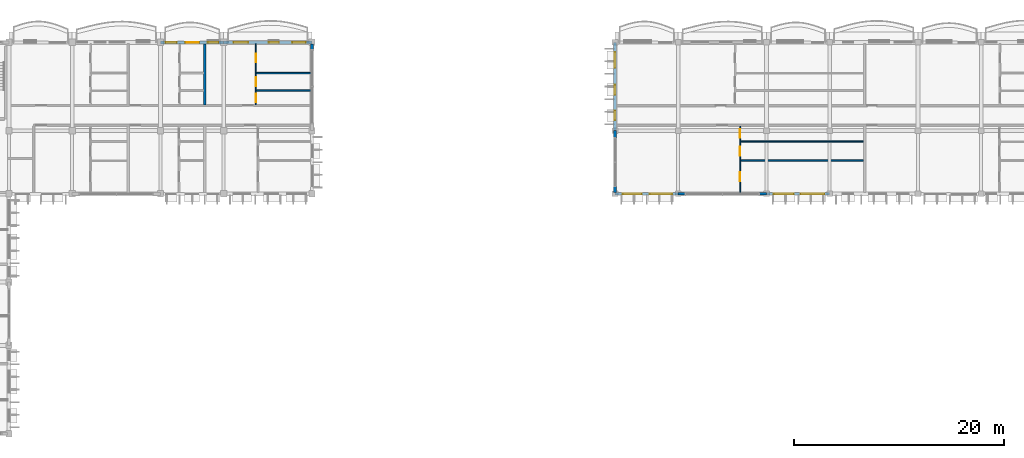
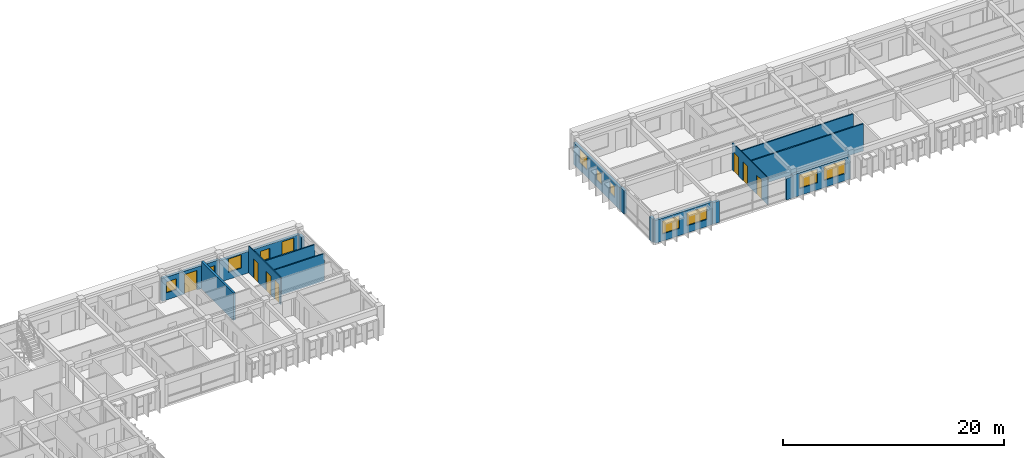
# One storey, part 29 of 54: 17 walls, 11 windows, 8 doors, 19 openings.
"""IFC4 building model written with IfcOpenShell, lengths in metres."""

from ifc_helpers import new_model, si_unit, direction, frame, frame_2d, origin, place, context, subcontext, project, spatial, rectangle, extrude, material, layer, layer_set, type_object, element, fill, save


model = new_model("IFC4")

# Units and contexts
model_context = context("Model", 3, precision=1e-05, world=origin(), true_north=direction((0.0, 1.0)))
body_context = subcontext(model_context, "Body", "Model", "MODEL_VIEW")
ifc_project = project(units=[si_unit("LENGTHUNIT", "METRE"), si_unit("AREAUNIT", "SQUARE_METRE"), si_unit("VOLUMEUNIT", "CUBIC_METRE"), si_unit("PLANEANGLEUNIT", "RADIAN"), si_unit("MASSUNIT", "GRAM", prefix="KILO"), si_unit("THERMODYNAMICTEMPERATUREUNIT", "KELVIN")], contexts=[model_context])

# Site, building, storey
site_placement = place(None, origin())
site = spatial("IfcSite", under=ifc_project, at=site_placement, CompositionType="ELEMENT")
building_placement = place(site_placement, origin())
building = spatial("IfcBuilding", under=site, at=building_placement, Name="Thalorik Housing Commons", CompositionType="ELEMENT")
storey_placement = place(building_placement, frame((0.0, 0.0, 31.199951171875)))
storey = spatial("IfcBuildingStorey", under=building, at=storey_placement, Name="L09", CompositionType="ELEMENT", Elevation=31.199951171875)

# Wall, openings, windows
ifc_material_1 = material(Name="White precast concrete C40/50", Category="concrete")
ifc_layer_1 = layer(ifc_material_1, 0.264892578125, Name="White precast concrete C40/50", Category="concrete")
ifc_layer_set_1 = layer_set([ifc_layer_1], Name="White precast concrete C40/50")
wall_type_1 = type_object("IfcWallType", Name="ARC-WAL-EXT-265", PredefinedType="STANDARD", material=ifc_layer_set_1)
wall_1_placement = place(storey_placement, frame((80.39990234375, 123.60009765625, 0.0), z_axis=(0.0, 0.0, 1.0), x_axis=(0.0, -1.0, 0.0)))
wall_1 = element("IfcWall", 1, at=wall_1_placement, inside=storey, type_object=wall_type_1, Name="L09 Exterior Wall WAL-EXT-L09-B-0721", PredefinedType="STANDARD", context=body_context, shape_type="SweptSolid", body=[
    extrude(rectangle(XDim=8.400146484375, YDim=0.264892578125, at=frame_2d((4.2001953125, 0.0))), origin(), (0.0, 0.0, 1.0), 2.425048828125),
])
opening_1_placement = place(wall_1_placement, frame((0.9326171875, 0.0, 0.780029296875)))
opening_1 = element("IfcOpeningElement", 2, at=opening_1_placement, cuts=wall_1, Name="Opening W-10", PredefinedType="OPENING", context=body_context, shape_type="SweptSolid", body=[
    extrude(rectangle(XDim=1.5, YDim=1.5, at=frame_2d((0.75, 0.75))), frame((0.0, 0.142578125, 0.0), z_axis=(0.0, -1.0, 0.0), x_axis=(1.0, 0.0, 0.0)), (0.0, 0.0, 1.0), 0.284912109375),
])
opening_2_placement = place(wall_1_placement, frame((4.052490234375, 0.0, 0.780029296875)))
opening_2 = element("IfcOpeningElement", 3, at=opening_2_placement, cuts=wall_1, Name="Opening W-43", PredefinedType="OPENING", context=body_context, shape_type="SweptSolid", body=[
    extrude(rectangle(XDim=0.949951171875, YDim=1.14990234375, at=frame_2d((0.47509765625, 0.574951171875))), frame((0.0, 0.142578125, 0.0), z_axis=(0.0, -1.0, 0.0), x_axis=(1.0, 0.0, 0.0)), (0.0, 0.0, 1.0), 0.284912109375),
])
opening_3_placement = place(wall_1_placement, frame((6.5, 0.0, 0.780029296875)))
opening_3 = element("IfcOpeningElement", 4, at=opening_3_placement, cuts=wall_1, Name="Opening W-01", PredefinedType="OPENING", context=body_context, shape_type="SweptSolid", body=[
    extrude(rectangle(XDim=0.89990234375, YDim=1.199951171875, at=frame_2d((0.449951171875, 0.60009765625))), frame((0.0, 0.142578125, 0.0), z_axis=(0.0, -1.0, 0.0), x_axis=(1.0, 0.0, 0.0)), (0.0, 0.0, 1.0), 0.284912109375),
])
ifc_material_2 = material(Name="Anodised aluminium and solar-control low-E glass", Category="aluminium")
window_type_1 = type_object("IfcWindowType", Name="ARC-WIN-01", PartitioningType="SINGLE_PANEL", PredefinedType="WINDOW", material=ifc_material_2)
window_1_placement = place(opening_3_placement, origin())
window_1 = element("IfcWindow", 5, at=window_1_placement, inside=storey, type_object=window_type_1, Name="L09 Facade Window 1324", OverallHeight=1.199951171875, OverallWidth=0.89990234375, PartitioningType="SINGLE_PANEL", PredefinedType="WINDOW", context=body_context, shape_type="SweptSolid", body=[
    extrude(rectangle(XDim=0.89990234375, YDim=1.199951171875, at=frame_2d((0.449951171875, 0.60009765625))), frame((0.0, 0.030029296875, 0.0), z_axis=(0.0, -1.0, 0.0), x_axis=(1.0, 0.0, 0.0)), (0.0, 0.0, 1.0), 0.06005859375),
])
fill(opening_3, window_1)
window_type_2 = type_object("IfcWindowType", Name="ARC-WIN-10", PartitioningType="SINGLE_PANEL", PredefinedType="WINDOW", material=ifc_material_2)
window_2_placement = place(opening_1_placement, origin())
window_2 = element("IfcWindow", 6, at=window_2_placement, inside=storey, type_object=window_type_2, Name="L09 Facade Window 1322", OverallHeight=1.5, OverallWidth=1.5, PartitioningType="SINGLE_PANEL", PredefinedType="WINDOW", context=body_context, shape_type="SweptSolid", body=[
    extrude(rectangle(XDim=1.5, YDim=1.5, at=frame_2d((0.75, 0.75))), frame((0.0, 0.030029296875, 0.0), z_axis=(0.0, -1.0, 0.0), x_axis=(1.0, 0.0, 0.0)), (0.0, 0.0, 1.0), 0.06005859375),
])
fill(opening_1, window_2)
window_type_3 = type_object("IfcWindowType", Name="ARC-WIN-43", PartitioningType="SINGLE_PANEL", PredefinedType="WINDOW", material=ifc_material_2)
window_3_placement = place(opening_2_placement, origin())
window_3 = element("IfcWindow", 7, at=window_3_placement, inside=storey, type_object=window_type_3, Name="L09 Facade Window 1323", OverallHeight=1.14990234375, OverallWidth=0.949951171875, PartitioningType="SINGLE_PANEL", PredefinedType="WINDOW", context=body_context, shape_type="SweptSolid", body=[
    extrude(rectangle(XDim=0.949951171875, YDim=1.14990234375, at=frame_2d((0.47509765625, 0.574951171875))), frame((0.0, 0.030029296875, 0.0), z_axis=(0.0, -1.0, 0.0), x_axis=(1.0, 0.0, 0.0)), (0.0, 0.0, 1.0), 0.06005859375),
])
fill(opening_2, window_3)

# Walls
wall_2_placement = place(storey_placement, frame((80.39990234375, 115.199951171875, 0.0), z_axis=(0.0, 0.0, 1.0), x_axis=(0.0, -1.0, 0.0)))
element("IfcWall", 8, at=wall_2_placement, inside=storey, type_object=wall_type_1, Name="L09 Exterior Wall WAL-PIERL-L09-B-0722", PredefinedType="STANDARD", context=body_context, shape_type="SweptSolid", body=[
    extrude(rectangle(XDim=0.699951171875, YDim=0.264892578125, at=frame_2d((0.35009765625, 0.0))), origin(), (0.0, 0.0, 1.0), 2.574951171875),
])
wall_3_placement = place(storey_placement, frame((80.39990234375, 109.89990234375, 0.0), z_axis=(0.0, 0.0, 1.0), x_axis=(0.0, -1.0, 0.0)))
element("IfcWall", 9, at=wall_3_placement, inside=storey, type_object=wall_type_1, Name="L09 Exterior Wall WAL-PIERR-L09-B-0722", PredefinedType="STANDARD", context=body_context, shape_type="SweptSolid", body=[
    extrude(rectangle(XDim=0.5654296875, YDim=0.264892578125, at=frame_2d((0.28271484375, 0.0))), origin(), (0.0, 0.0, 1.0), 2.574951171875),
])

# Wall, openings, windows
wall_4_placement = place(storey_placement, frame((80.39990234375, 109.199951171875, 0.0), z_axis=(0.0, 0.0, 1.0), x_axis=(1.0, 0.0, 0.0)))
wall_4 = element("IfcWall", 10, at=wall_4_placement, inside=storey, type_object=wall_type_1, Name="L09 Exterior Wall WAL-EXT-L09-B-0723", PredefinedType="STANDARD", context=body_context, shape_type="SweptSolid", body=[
    extrude(rectangle(XDim=6.0, YDim=0.264892578125, at=frame_2d((3.0, 0.0))), origin(), (0.0, 0.0, 1.0), 2.525146484375),
])
opening_4_placement = place(wall_4_placement, frame((0.739990234375, 0.0, 0.780029296875)))
opening_4 = element("IfcOpeningElement", 11, at=opening_4_placement, cuts=wall_4, Name="Opening W-57", PredefinedType="OPENING", context=body_context, shape_type="SweptSolid", body=[
    extrude(rectangle(XDim=1.780029296875, YDim=1.419921875, at=frame_2d((0.89013671875, 0.7099609375))), frame((0.0, 0.142578125, 0.0), z_axis=(0.0, -1.0, 0.0), x_axis=(1.0, 0.0, 0.0)), (0.0, 0.0, 1.0), 0.284912109375),
])
opening_5_placement = place(wall_4_placement, frame((3.31005859375, 0.0, 0.780029296875)))
opening_5 = element("IfcOpeningElement", 12, at=opening_5_placement, cuts=wall_4, Name="Opening W-64", PredefinedType="OPENING", context=body_context, shape_type="SweptSolid", body=[
    extrude(rectangle(XDim=2.1201171875, YDim=1.43994140625, at=frame_2d((1.06005859375, 0.719970703125))), frame((0.0, 0.142578125, 0.0), z_axis=(0.0, -1.0, 0.0), x_axis=(1.0, 0.0, 0.0)), (0.0, 0.0, 1.0), 0.284912109375),
])
window_type_4 = type_object("IfcWindowType", Name="ARC-WIN-57", PartitioningType="DOUBLE_PANEL_VERTICAL", PredefinedType="WINDOW", material=ifc_material_2)
window_4_placement = place(opening_4_placement, origin())
window_4 = element("IfcWindow", 13, at=window_4_placement, inside=storey, type_object=window_type_4, Name="L09 Facade Window 1325", OverallHeight=1.419921875, OverallWidth=1.780029296875, PartitioningType="DOUBLE_PANEL_VERTICAL", PredefinedType="WINDOW", context=body_context, shape_type="SweptSolid", body=[
    extrude(rectangle(XDim=1.780029296875, YDim=1.419921875, at=frame_2d((0.89013671875, 0.7099609375))), frame((0.0, 0.030029296875, 0.0), z_axis=(0.0, -1.0, 0.0), x_axis=(1.0, 0.0, 0.0)), (0.0, 0.0, 1.0), 0.06005859375),
])
fill(opening_4, window_4)
window_type_5 = type_object("IfcWindowType", Name="ARC-WIN-64", PartitioningType="DOUBLE_PANEL_VERTICAL", PredefinedType="WINDOW", material=ifc_material_2)
window_5_placement = place(opening_5_placement, origin())
window_5 = element("IfcWindow", 14, at=window_5_placement, inside=storey, type_object=window_type_5, Name="L09 Facade Window 1326", OverallHeight=1.43994140625, OverallWidth=2.1201171875, PartitioningType="DOUBLE_PANEL_VERTICAL", PredefinedType="WINDOW", context=body_context, shape_type="SweptSolid", body=[
    extrude(rectangle(XDim=2.1201171875, YDim=1.43994140625, at=frame_2d((1.06005859375, 0.719970703125))), frame((0.0, 0.030029296875, 0.0), z_axis=(0.0, -1.0, 0.0), x_axis=(1.0, 0.0, 0.0)), (0.0, 0.0, 1.0), 0.06005859375),
])
fill(opening_5, window_5)

# Walls
wall_5_placement = place(storey_placement, frame((86.39990234375, 109.199951171875, 0.0), z_axis=(0.0, 0.0, 1.0), x_axis=(1.0, 0.0, 0.0)))
element("IfcWall", 15, at=wall_5_placement, inside=storey, type_object=wall_type_1, Name="L09 Exterior Wall WAL-PIERL-L09-B-0724", PredefinedType="STANDARD", context=body_context, shape_type="SweptSolid", body=[
    extrude(rectangle(XDim=0.7001953125, YDim=0.264892578125, at=frame_2d((0.35009765625, 0.0))), origin(), (0.0, 0.0, 1.0), 2.375),
])
wall_6_placement = place(storey_placement, frame((94.10009765625, 109.199951171875, 0.0), z_axis=(0.0, 0.0, 1.0), x_axis=(1.0, 0.0, 0.0)))
element("IfcWall", 16, at=wall_6_placement, inside=storey, type_object=wall_type_1, Name="L09 Exterior Wall WAL-PIERR-L09-B-0724", PredefinedType="STANDARD", context=body_context, shape_type="SweptSolid", body=[
    extrude(rectangle(XDim=0.699951171875, YDim=0.264892578125, at=frame_2d((0.35009765625, 0.0))), origin(), (0.0, 0.0, 1.0), 2.375),
])

# Wall, openings, windows
wall_7_placement = place(storey_placement, frame((94.800048828125, 109.199951171875, 0.0), z_axis=(0.0, 0.0, 1.0), x_axis=(1.0, 0.0, 0.0)))
wall_7 = element("IfcWall", 17, at=wall_7_placement, inside=storey, type_object=wall_type_1, Name="L09 Exterior Wall WAL-EXT-L09-B-0725", PredefinedType="STANDARD", context=body_context, shape_type="SweptSolid", body=[
    extrude(rectangle(XDim=6.0, YDim=0.264892578125, at=frame_2d((3.0, 0.0))), origin(), (0.0, 0.0, 1.0), 2.525146484375),
])
opening_6_placement = place(wall_7_placement, frame((0.68994140625, 0.0, 0.780029296875)))
opening_6 = element("IfcOpeningElement", 18, at=opening_6_placement, cuts=wall_7, Name="Opening W-59", PredefinedType="OPENING", context=body_context, shape_type="SweptSolid", body=[
    extrude(rectangle(XDim=1.8798828125, YDim=1.52001953125, at=frame_2d((0.93994140625, 0.760009765625))), frame((0.0, 0.142578125, 0.0), z_axis=(0.0, -1.0, 0.0), x_axis=(1.0, 0.0, 0.0)), (0.0, 0.0, 1.0), 0.284912109375),
])
opening_7_placement = place(wall_7_placement, frame((3.25, 0.0, 0.780029296875)))
opening_7 = element("IfcOpeningElement", 19, at=opening_7_placement, cuts=wall_7, Name="Opening W-66", PredefinedType="OPENING", context=body_context, shape_type="SweptSolid", body=[
    extrude(rectangle(XDim=2.239990234375, YDim=1.52001953125, at=frame_2d((1.1201171875, 0.760009765625))), frame((0.0, 0.142578125, 0.0), z_axis=(0.0, -1.0, 0.0), x_axis=(1.0, 0.0, 0.0)), (0.0, 0.0, 1.0), 0.284912109375),
])
window_type_6 = type_object("IfcWindowType", Name="ARC-WIN-59", PartitioningType="DOUBLE_PANEL_VERTICAL", PredefinedType="WINDOW", material=ifc_material_2)
window_6_placement = place(opening_6_placement, origin())
window_6 = element("IfcWindow", 20, at=window_6_placement, inside=storey, type_object=window_type_6, Name="L09 Facade Window 1327", OverallHeight=1.52001953125, OverallWidth=1.8798828125, PartitioningType="DOUBLE_PANEL_VERTICAL", PredefinedType="WINDOW", context=body_context, shape_type="SweptSolid", body=[
    extrude(rectangle(XDim=1.8798828125, YDim=1.52001953125, at=frame_2d((0.93994140625, 0.760009765625))), frame((0.0, 0.030029296875, 0.0), z_axis=(0.0, -1.0, 0.0), x_axis=(1.0, 0.0, 0.0)), (0.0, 0.0, 1.0), 0.06005859375),
])
fill(opening_6, window_6)
window_type_7 = type_object("IfcWindowType", Name="ARC-WIN-66", PartitioningType="DOUBLE_PANEL_VERTICAL", PredefinedType="WINDOW", material=ifc_material_2)
window_7_placement = place(opening_7_placement, origin())
window_7 = element("IfcWindow", 21, at=window_7_placement, inside=storey, type_object=window_type_7, Name="L09 Facade Window 1328", OverallHeight=1.52001953125, OverallWidth=2.239990234375, PartitioningType="DOUBLE_PANEL_VERTICAL", PredefinedType="WINDOW", context=body_context, shape_type="SweptSolid", body=[
    extrude(rectangle(XDim=2.239990234375, YDim=1.52001953125, at=frame_2d((1.1201171875, 0.760009765625))), frame((0.0, 0.030029296875, 0.0), z_axis=(0.0, -1.0, 0.0), x_axis=(1.0, 0.0, 0.0)), (0.0, 0.0, 1.0), 0.06005859375),
])
fill(opening_7, window_7)

# Wall
ifc_layer_2 = layer(ifc_material_1, 0.27490234375, Name="White precast concrete C40/50", Category="concrete")
ifc_layer_set_2 = layer_set([ifc_layer_2], Name="White precast concrete C40/50")
wall_type_2 = type_object("IfcWallType", Name="ARC-WAL-EXT-275", PredefinedType="STANDARD", material=ifc_layer_set_2)
wall_8_placement = place(storey_placement, frame((51.60009765625, 122.89990234375, 0.0), z_axis=(0.0, 0.0, 1.0), x_axis=(0.0, 1.0, 0.0)))
element("IfcWall", 22, at=wall_8_placement, inside=storey, type_object=wall_type_2, Name="L09 Exterior Wall WAL-PIERR-L09-A-0240", PredefinedType="STANDARD", context=body_context, shape_type="SweptSolid", body=[
    extrude(rectangle(XDim=0.560546875, YDim=0.27490234375, at=frame_2d((0.2802734375, 0.0))), origin(), (0.0, 0.0, 1.0), 2.425048828125),
])

# Wall, openings, door, windows
wall_9_placement = place(storey_placement, frame((51.60009765625, 123.60009765625, 0.0), z_axis=(0.0, 0.0, 1.0), x_axis=(-1.0, 0.0, 0.0)))
wall_9 = element("IfcWall", 23, at=wall_9_placement, inside=storey, type_object=wall_type_2, Name="L09 Exterior Wall WAL-EXT-L09-A-0241", PredefinedType="STANDARD", context=body_context, shape_type="SweptSolid", body=[
    extrude(rectangle(XDim=8.400146484375, YDim=0.27490234375, at=frame_2d((4.2001953125, 0.0))), origin(), (0.0, 0.0, 1.0), 2.375),
])
opening_8_placement = place(wall_9_placement, frame((0.6201171875, 0.0, 0.0)))
opening_8 = element("IfcOpeningElement", 24, at=opening_8_placement, cuts=wall_9, Name="Opening ED-0075", PredefinedType="OPENING", context=body_context, shape_type="SweptSolid", body=[
    extrude(rectangle(XDim=1.25, YDim=2.199951171875, at=frame_2d((0.625, 1.10009765625))), frame((0.0, 0.1474609375, 0.0), z_axis=(0.0, -1.0, 0.0), x_axis=(1.0, 0.0, 0.0)), (0.0, 0.0, 1.0), 0.294921875),
])
opening_9_placement = place(wall_9_placement, frame((3.1513671875, 0.0, 0.780029296875)))
opening_9 = element("IfcOpeningElement", 25, at=opening_9_placement, cuts=wall_9, Name="Opening W-43", PredefinedType="OPENING", context=body_context, shape_type="SweptSolid", body=[
    extrude(rectangle(XDim=0.949951171875, YDim=1.14990234375, at=frame_2d((0.47509765625, 0.574951171875))), frame((0.0, 0.1474609375, 0.0), z_axis=(0.0, -1.0, 0.0), x_axis=(1.0, 0.0, 0.0)), (0.0, 0.0, 1.0), 0.294921875),
])
opening_10_placement = place(wall_9_placement, frame((6.081298828125, 0.0, 0.780029296875)))
opening_10 = element("IfcOpeningElement", 26, at=opening_10_placement, cuts=wall_9, Name="Opening W-49", PredefinedType="OPENING", context=body_context, shape_type="SweptSolid", body=[
    extrude(rectangle(XDim=1.3798828125, YDim=1.47998046875, at=frame_2d((0.68994140625, 0.739990234375))), frame((0.0, 0.1474609375, 0.0), z_axis=(0.0, -1.0, 0.0), x_axis=(1.0, 0.0, 0.0)), (0.0, 0.0, 1.0), 0.294921875),
])
ifc_material_3 = material(Name="Anodised aluminium and laminated safety glass", Category="aluminium")
door_type_1 = type_object("IfcDoorType", Name="ARC-DR-BAL-1250", OperationType="NOTDEFINED", PredefinedType="DOOR", material=ifc_material_3)
door_1_placement = place(opening_8_placement, frame((1.25, 0.0, 0.0), z_axis=(0.0, 0.0, 1.0), x_axis=(-1.0, 0.0, 0.0)))
door_1 = element("IfcDoor", 27, at=door_1_placement, inside=storey, type_object=door_type_1, Name="L09 Block A Balcony Glazed Door", OperationType="SINGLE_SWING_RIGHT", OverallHeight=2.199951171875, OverallWidth=1.25, PredefinedType="DOOR", context=body_context, shape_type="SweptSolid", body=[
    extrude(rectangle(XDim=1.25, YDim=2.199951171875, at=frame_2d((0.625, 1.10009765625))), frame((0.0, 0.02490234375, 0.0), z_axis=(0.0, -1.0, 0.0), x_axis=(1.0, 0.0, 0.0)), (0.0, 0.0, 1.0), 0.050048828125),
])
fill(opening_8, door_1)
window_8_placement = place(opening_9_placement, origin())
window_8 = element("IfcWindow", 28, at=window_8_placement, inside=storey, type_object=window_type_3, Name="L09 Facade Window 434", OverallHeight=1.14990234375, OverallWidth=0.949951171875, PartitioningType="SINGLE_PANEL", PredefinedType="WINDOW", context=body_context, shape_type="SweptSolid", body=[
    extrude(rectangle(XDim=0.949951171875, YDim=1.14990234375, at=frame_2d((0.47509765625, 0.574951171875))), frame((0.0, 0.030029296875, 0.0), z_axis=(0.0, -1.0, 0.0), x_axis=(1.0, 0.0, 0.0)), (0.0, 0.0, 1.0), 0.06005859375),
])
fill(opening_9, window_8)
window_type_8 = type_object("IfcWindowType", Name="ARC-WIN-49", PartitioningType="SINGLE_PANEL", PredefinedType="WINDOW", material=ifc_material_2)
window_9_placement = place(opening_10_placement, origin())
window_9 = element("IfcWindow", 29, at=window_9_placement, inside=storey, type_object=window_type_8, Name="L09 Facade Window 435", OverallHeight=1.47998046875, OverallWidth=1.3798828125, PartitioningType="SINGLE_PANEL", PredefinedType="WINDOW", context=body_context, shape_type="SweptSolid", body=[
    extrude(rectangle(XDim=1.3798828125, YDim=1.47998046875, at=frame_2d((0.68994140625, 0.739990234375))), frame((0.0, 0.030029296875, 0.0), z_axis=(0.0, -1.0, 0.0), x_axis=(1.0, 0.0, 0.0)), (0.0, 0.0, 1.0), 0.06005859375),
])
fill(opening_10, window_9)

wall_10_placement = place(storey_placement, frame((43.199951171875, 123.60009765625, 0.0), z_axis=(0.0, 0.0, 1.0), x_axis=(-1.0, 0.0, 0.0)))
wall_10 = element("IfcWall", 30, at=wall_10_placement, inside=storey, type_object=wall_type_2, Name="L09 Exterior Wall WAL-EXT-L09-A-0242", PredefinedType="STANDARD", context=body_context, shape_type="SweptSolid", body=[
    extrude(rectangle(XDim=6.0, YDim=0.27490234375, at=frame_2d((3.0, 0.0))), origin(), (0.0, 0.0, 1.0), 2.525146484375),
])
opening_11_placement = place(wall_10_placement, frame((2.3427734375, 0.0, 0.0)))
opening_11 = element("IfcOpeningElement", 31, at=opening_11_placement, cuts=wall_10, Name="Opening ED-0076", PredefinedType="OPENING", context=body_context, shape_type="SweptSolid", body=[
    extrude(rectangle(XDim=1.300048828125, YDim=2.14990234375, at=frame_2d((0.64990234375, 1.074951171875))), frame((0.0, 0.1474609375, 0.0), z_axis=(0.0, -1.0, 0.0), x_axis=(1.0, 0.0, 0.0)), (0.0, 0.0, 1.0), 0.294921875),
])
opening_12_placement = place(wall_10_placement, frame((0.4951171875, 0.0, 0.780029296875)))
opening_12 = element("IfcOpeningElement", 32, at=opening_12_placement, cuts=wall_10, Name="Opening W-02", PredefinedType="OPENING", context=body_context, shape_type="SweptSolid", body=[
    extrude(rectangle(XDim=1.0, YDim=1.25, at=frame_2d((0.5, 0.625))), frame((0.0, 0.1474609375, 0.0), z_axis=(0.0, -1.0, 0.0), x_axis=(1.0, 0.0, 0.0)), (0.0, 0.0, 1.0), 0.294921875),
])
opening_13_placement = place(wall_10_placement, frame((4.472900390625, 0.0, 0.780029296875)))
opening_13 = element("IfcOpeningElement", 33, at=opening_13_placement, cuts=wall_10, Name="Opening W-44", PredefinedType="OPENING", context=body_context, shape_type="SweptSolid", body=[
    extrude(rectangle(XDim=1.050048828125, YDim=1.199951171875, at=frame_2d((0.52490234375, 0.60009765625))), frame((0.0, 0.1474609375, 0.0), z_axis=(0.0, -1.0, 0.0), x_axis=(1.0, 0.0, 0.0)), (0.0, 0.0, 1.0), 0.294921875),
])
door_type_2 = type_object("IfcDoorType", Name="ARC-DR-BAL-1300", OperationType="NOTDEFINED", PredefinedType="DOOR", material=ifc_material_3)
door_2_placement = place(opening_11_placement, frame((1.300048828125, 0.0, 0.0), z_axis=(0.0, 0.0, 1.0), x_axis=(-1.0, 0.0, 0.0)))
door_2 = element("IfcDoor", 34, at=door_2_placement, inside=storey, type_object=door_type_2, Name="L09 Block A Balcony Glazed Door", OperationType="SINGLE_SWING_LEFT", OverallHeight=2.14990234375, OverallWidth=1.300048828125, PredefinedType="DOOR", context=body_context, shape_type="SweptSolid", body=[
    extrude(rectangle(XDim=1.300048828125, YDim=2.14990234375, at=frame_2d((0.64990234375, 1.074951171875))), frame((0.0, 0.02490234375, 0.0), z_axis=(0.0, -1.0, 0.0), x_axis=(1.0, 0.0, 0.0)), (0.0, 0.0, 1.0), 0.050048828125),
])
fill(opening_11, door_2)
window_type_9 = type_object("IfcWindowType", Name="ARC-WIN-02", PartitioningType="SINGLE_PANEL", PredefinedType="WINDOW", material=ifc_material_2)
window_10_placement = place(opening_12_placement, origin())
window_10 = element("IfcWindow", 35, at=window_10_placement, inside=storey, type_object=window_type_9, Name="L09 Facade Window 436", OverallHeight=1.25, OverallWidth=1.0, PartitioningType="SINGLE_PANEL", PredefinedType="WINDOW", context=body_context, shape_type="SweptSolid", body=[
    extrude(rectangle(XDim=1.0, YDim=1.25, at=frame_2d((0.5, 0.625))), frame((0.0, 0.030029296875, 0.0), z_axis=(0.0, -1.0, 0.0), x_axis=(1.0, 0.0, 0.0)), (0.0, 0.0, 1.0), 0.06005859375),
])
fill(opening_12, window_10)
window_type_10 = type_object("IfcWindowType", Name="ARC-WIN-44", PartitioningType="SINGLE_PANEL", PredefinedType="WINDOW", material=ifc_material_2)
window_11_placement = place(opening_13_placement, origin())
window_11 = element("IfcWindow", 36, at=window_11_placement, inside=storey, type_object=window_type_10, Name="L09 Facade Window 437", OverallHeight=1.199951171875, OverallWidth=1.050048828125, PartitioningType="SINGLE_PANEL", PredefinedType="WINDOW", context=body_context, shape_type="SweptSolid", body=[
    extrude(rectangle(XDim=1.050048828125, YDim=1.199951171875, at=frame_2d((0.52490234375, 0.60009765625))), frame((0.0, 0.030029296875, 0.0), z_axis=(0.0, -1.0, 0.0), x_axis=(1.0, 0.0, 0.0)), (0.0, 0.0, 1.0), 0.06005859375),
])
fill(opening_13, window_11)

# Wall, openings, doors
ifc_material_4 = material(Name="Gypsum light stud partition", Category="masonry")
ifc_layer_3 = layer(ifc_material_4, 0.10009765625, Name="Gypsum light stud partition", Category="masonry")
ifc_layer_set_3 = layer_set([ifc_layer_3], Name="Gypsum light stud partition")
wall_type_3 = type_object("IfcWallType", Name="ARC-WAL-PART-100", PredefinedType="PARTITIONING", material=ifc_layer_set_3)
wall_11_placement = place(storey_placement, frame((46.26708984375, 117.656982421875, 0.0), z_axis=(0.0, 0.0, 1.0), x_axis=(0.0, 1.0, 0.0)))
wall_11 = element("IfcWall", 37, at=wall_11_placement, inside=storey, type_object=wall_type_3, Name="L09 Unit 3B Spine Partition", PredefinedType="PARTITIONING", context=body_context, shape_type="SweptSolid", body=[
    extrude(rectangle(XDim=5.803466796875, YDim=0.10009765625, at=frame_2d((2.90185546875, 0.0))), origin(), (0.0, 0.0, 1.0), 3.0),
])
opening_14_placement = place(wall_11_placement, frame((0.23828125, 0.0, 0.0)))
opening_14 = element("IfcOpeningElement", 38, at=opening_14_placement, cuts=wall_11, Name="Opening ID-0780", PredefinedType="OPENING", context=body_context, shape_type="SweptSolid", body=[
    extrude(rectangle(XDim=0.800048828125, YDim=2.10009765625, at=frame_2d((0.39990234375, 1.050048828125))), frame((0.0, 0.06005859375, 0.0), z_axis=(0.0, -1.0, 0.0), x_axis=(1.0, 0.0, 0.0)), (0.0, 0.0, 1.0), 0.1201171875),
])
opening_15_placement = place(wall_11_placement, frame((1.7626953125, 0.0, 0.0)))
opening_15 = element("IfcOpeningElement", 39, at=opening_15_placement, cuts=wall_11, Name="Opening ID-0781", PredefinedType="OPENING", context=body_context, shape_type="SweptSolid", body=[
    extrude(rectangle(XDim=0.85009765625, YDim=2.10009765625, at=frame_2d((0.425048828125, 1.050048828125))), frame((0.0, 0.06005859375, 0.0), z_axis=(0.0, -1.0, 0.0), x_axis=(1.0, 0.0, 0.0)), (0.0, 0.0, 1.0), 0.1201171875),
])
opening_16_placement = place(wall_11_placement, frame((4.027587890625, 0.0, 0.0)))
opening_16 = element("IfcOpeningElement", 40, at=opening_16_placement, cuts=wall_11, Name="Opening ID-0782", PredefinedType="OPENING", context=body_context, shape_type="SweptSolid", body=[
    extrude(rectangle(XDim=0.85009765625, YDim=2.10009765625, at=frame_2d((0.425048828125, 1.050048828125))), frame((0.0, 0.06005859375, 0.0), z_axis=(0.0, -1.0, 0.0), x_axis=(1.0, 0.0, 0.0)), (0.0, 0.0, 1.0), 0.1201171875),
])
ifc_material_5 = material(Name="Moisture-resistant timber", Category="wood")
door_type_3 = type_object("IfcDoorType", Name="ARC-DR-INT-800", OperationType="NOTDEFINED", PredefinedType="DOOR", material=ifc_material_5)
door_3_placement = place(opening_14_placement, origin())
door_3 = element("IfcDoor", 41, at=door_3_placement, inside=storey, type_object=door_type_3, Name="L09 Accessible Bathroom Door", OperationType="SINGLE_SWING_LEFT", OverallHeight=2.10009765625, OverallWidth=0.800048828125, PredefinedType="DOOR", context=body_context, shape_type="SweptSolid", body=[
    extrude(rectangle(XDim=0.800048828125, YDim=2.10009765625, at=frame_2d((0.39990234375, 1.050048828125))), frame((0.0, 0.02490234375, 0.0), z_axis=(0.0, -1.0, 0.0), x_axis=(1.0, 0.0, 0.0)), (0.0, 0.0, 1.0), 0.050048828125),
])
fill(opening_14, door_3)
ifc_material_6 = material(Name="Engineered oak timber", Category="wood")
door_type_4 = type_object("IfcDoorType", Name="ARC-DR-INT-850", OperationType="NOTDEFINED", PredefinedType="DOOR", material=ifc_material_6)
door_4_placement = place(opening_15_placement, origin())
door_4 = element("IfcDoor", 42, at=door_4_placement, inside=storey, type_object=door_type_4, Name="L09 Eat-In Kitchen Door", OperationType="SINGLE_SWING_RIGHT", OverallHeight=2.10009765625, OverallWidth=0.85009765625, PredefinedType="DOOR", context=body_context, shape_type="SweptSolid", body=[
    extrude(rectangle(XDim=0.85009765625, YDim=2.10009765625, at=frame_2d((0.425048828125, 1.050048828125))), frame((0.0, 0.02490234375, 0.0), z_axis=(0.0, -1.0, 0.0), x_axis=(1.0, 0.0, 0.0)), (0.0, 0.0, 1.0), 0.050048828125),
])
fill(opening_15, door_4)
door_5_placement = place(opening_16_placement, origin())
door_5 = element("IfcDoor", 43, at=door_5_placement, inside=storey, type_object=door_type_4, Name="L09 Double Bedroom Door", OperationType="SINGLE_SWING_LEFT", OverallHeight=2.10009765625, OverallWidth=0.85009765625, PredefinedType="DOOR", context=body_context, shape_type="SweptSolid", body=[
    extrude(rectangle(XDim=0.85009765625, YDim=2.10009765625, at=frame_2d((0.425048828125, 1.050048828125))), frame((0.0, 0.02490234375, 0.0), z_axis=(0.0, -1.0, 0.0), x_axis=(1.0, 0.0, 0.0)), (0.0, 0.0, 1.0), 0.050048828125),
])
fill(opening_16, door_5)

wall_12_placement = place(storey_placement, frame((92.2900390625, 109.260009765625, 0.0), z_axis=(0.0, 0.0, 1.0), x_axis=(0.0, 1.0, 0.0)))
wall_12 = element("IfcWall", 44, at=wall_12_placement, inside=storey, type_object=wall_type_3, Name="L09 Unit 1 Spine Partition", PredefinedType="PARTITIONING", context=body_context, shape_type="SweptSolid", body=[
    extrude(rectangle(XDim=6.383056640625, YDim=0.10009765625, at=frame_2d((3.19140625, 0.0))), origin(), (0.0, 0.0, 1.0), 3.0),
])
opening_17_placement = place(wall_12_placement, frame((1.12548828125, 0.0, 0.0)))
opening_17 = element("IfcOpeningElement", 45, at=opening_17_placement, cuts=wall_12, Name="Opening ID-1382", PredefinedType="OPENING", context=body_context, shape_type="SweptSolid", body=[
    extrude(rectangle(XDim=0.85009765625, YDim=2.10009765625, at=frame_2d((0.425048828125, 1.050048828125))), frame((0.0, 0.06005859375, 0.0), z_axis=(0.0, -1.0, 0.0), x_axis=(1.0, 0.0, 0.0)), (0.0, 0.0, 1.0), 0.1201171875),
])
opening_18_placement = place(wall_12_placement, frame((3.580078125, 0.0, 0.0)))
opening_18 = element("IfcOpeningElement", 46, at=opening_18_placement, cuts=wall_12, Name="Opening ID-1383", PredefinedType="OPENING", context=body_context, shape_type="SweptSolid", body=[
    extrude(rectangle(XDim=0.85009765625, YDim=2.10009765625, at=frame_2d((0.425048828125, 1.050048828125))), frame((0.0, 0.06005859375, 0.0), z_axis=(0.0, -1.0, 0.0), x_axis=(1.0, 0.0, 0.0)), (0.0, 0.0, 1.0), 0.1201171875),
])
opening_19_placement = place(wall_12_placement, frame((5.284912109375, 0.0, 0.0)))
opening_19 = element("IfcOpeningElement", 47, at=opening_19_placement, cuts=wall_12, Name="Opening ID-1384", PredefinedType="OPENING", context=body_context, shape_type="SweptSolid", body=[
    extrude(rectangle(XDim=0.800048828125, YDim=2.10009765625, at=frame_2d((0.39990234375, 1.050048828125))), frame((0.0, 0.06005859375, 0.0), z_axis=(0.0, -1.0, 0.0), x_axis=(1.0, 0.0, 0.0)), (0.0, 0.0, 1.0), 0.1201171875),
])
door_6_placement = place(opening_19_placement, origin())
door_6 = element("IfcDoor", 48, at=door_6_placement, inside=storey, type_object=door_type_3, Name="L09 Accessible Bathroom Door", OperationType="SINGLE_SWING_LEFT", OverallHeight=2.10009765625, OverallWidth=0.800048828125, PredefinedType="DOOR", context=body_context, shape_type="SweptSolid", body=[
    extrude(rectangle(XDim=0.800048828125, YDim=2.10009765625, at=frame_2d((0.39990234375, 1.050048828125))), frame((0.0, 0.02490234375, 0.0), z_axis=(0.0, -1.0, 0.0), x_axis=(1.0, 0.0, 0.0)), (0.0, 0.0, 1.0), 0.050048828125),
])
fill(opening_19, door_6)
door_7_placement = place(opening_17_placement, origin())
door_7 = element("IfcDoor", 49, at=door_7_placement, inside=storey, type_object=door_type_4, Name="L09 Double Bedroom Door", OperationType="SINGLE_SWING_LEFT", OverallHeight=2.10009765625, OverallWidth=0.85009765625, PredefinedType="DOOR", context=body_context, shape_type="SweptSolid", body=[
    extrude(rectangle(XDim=0.85009765625, YDim=2.10009765625, at=frame_2d((0.425048828125, 1.050048828125))), frame((0.0, 0.02490234375, 0.0), z_axis=(0.0, -1.0, 0.0), x_axis=(1.0, 0.0, 0.0)), (0.0, 0.0, 1.0), 0.050048828125),
])
fill(opening_17, door_7)
door_8_placement = place(opening_18_placement, origin())
door_8 = element("IfcDoor", 50, at=door_8_placement, inside=storey, type_object=door_type_4, Name="L09 Eat-In Kitchen Door", OperationType="SINGLE_SWING_RIGHT", OverallHeight=2.10009765625, OverallWidth=0.85009765625, PredefinedType="DOOR", context=body_context, shape_type="SweptSolid", body=[
    extrude(rectangle(XDim=0.85009765625, YDim=2.10009765625, at=frame_2d((0.425048828125, 1.050048828125))), frame((0.0, 0.02490234375, 0.0), z_axis=(0.0, -1.0, 0.0), x_axis=(1.0, 0.0, 0.0)), (0.0, 0.0, 1.0), 0.050048828125),
])
fill(opening_18, door_8)

# Walls
ifc_material_7 = material(Name="Gypsum acoustic stud partition", Category="masonry")
ifc_layer_4 = layer(ifc_material_7, 0.125, Name="Gypsum acoustic stud partition", Category="masonry")
ifc_layer_set_4 = layer_set([ifc_layer_4], Name="Gypsum acoustic stud partition")
wall_type_4 = type_object("IfcWallType", Name="ARC-WAL-PART-125", PredefinedType="PARTITIONING", material=ifc_layer_set_4)
wall_13_placement = place(storey_placement, frame((46.319091796875, 119.010498046875, 0.0), z_axis=(0.0, 0.0, 1.0), x_axis=(1.0, 0.0, 0.0)))
element("IfcWall", 51, at=wall_13_placement, inside=storey, type_object=wall_type_4, Name="L09 Unit 3B Wet Wall", PredefinedType="PARTITIONING", context=body_context, shape_type="SweptSolid", body=[
    extrude(rectangle(XDim=5.220947265625, YDim=0.125, at=frame_2d((2.6103515625, 0.0))), origin(), (0.0, 0.0, 1.0), 3.0),
])
wall_14_placement = place(storey_placement, frame((92.342041015625, 114.169677734375, 0.0), z_axis=(0.0, 0.0, 1.0), x_axis=(1.0, 0.0, 0.0)))
element("IfcWall", 52, at=wall_14_placement, inside=storey, type_object=wall_type_4, Name="L09 Unit 1 Wet Wall", PredefinedType="PARTITIONING", context=body_context, shape_type="SweptSolid", body=[
    extrude(rectangle(XDim=11.666015625, YDim=0.125, at=frame_2d((5.8330078125, 0.0))), origin(), (0.0, 0.0, 1.0), 3.0),
])
ifc_material_8 = material(Name="Ceramic masonry partition wall", Category="masonry")
ifc_layer_5 = layer(ifc_material_8, 0.139892578125, Name="Ceramic masonry partition wall", Category="masonry")
ifc_layer_set_5 = layer_set([ifc_layer_5], Name="Ceramic masonry partition wall")
wall_type_5 = type_object("IfcWallType", Name="ARC-WAL-PART-140", PredefinedType="PARTITIONING", material=ifc_layer_set_5)
wall_15_placement = place(storey_placement, frame((46.319091796875, 120.67919921875, 0.0), z_axis=(0.0, 0.0, 1.0), x_axis=(1.0, 0.0, 0.0)))
element("IfcWall", 53, at=wall_15_placement, inside=storey, type_object=wall_type_5, Name="L09 Unit 3B Bedroom Partition", PredefinedType="PARTITIONING", context=body_context, shape_type="SweptSolid", body=[
    extrude(rectangle(XDim=5.220947265625, YDim=0.139892578125, at=frame_2d((2.6103515625, 0.0))), origin(), (0.0, 0.0, 1.0), 3.0),
])
wall_16_placement = place(storey_placement, frame((92.342041015625, 112.36083984375, 0.0), z_axis=(0.0, 0.0, 1.0), x_axis=(1.0, 0.0, 0.0)))
element("IfcWall", 54, at=wall_16_placement, inside=storey, type_object=wall_type_5, Name="L09 Unit 1 Bedroom Partition", PredefinedType="PARTITIONING", context=body_context, shape_type="SweptSolid", body=[
    extrude(rectangle(XDim=11.666015625, YDim=0.139892578125, at=frame_2d((5.8330078125, 0.0))), origin(), (0.0, 0.0, 1.0), 3.0),
])
ifc_material_9 = material(Name="Precast concrete C40/50 acoustic wall", Category="concrete")
ifc_layer_6 = layer(ifc_material_9, 0.219970703125, Name="Precast concrete C40/50 acoustic wall", Category="concrete")
ifc_layer_set_6 = layer_set([ifc_layer_6], Name="Precast concrete C40/50 acoustic wall")
wall_type_6 = type_object("IfcWallType", Name="ARC-WAL-PARTY-220", PredefinedType="PARTITIONING", material=ifc_layer_set_6)
wall_17_placement = place(storey_placement, frame((41.39990234375, 117.656982421875, 0.0), z_axis=(0.0, 0.0, 1.0), x_axis=(0.0, 1.0, 0.0)))
element("IfcWall", 55, at=wall_17_placement, inside=storey, type_object=wall_type_6, Name="L09 Inter-Tenancy Wall 2B", PredefinedType="PARTITIONING", context=body_context, shape_type="SweptSolid", body=[
    extrude(rectangle(XDim=5.803466796875, YDim=0.219970703125, at=frame_2d((2.90185546875, 0.0))), origin(), (0.0, 0.0, 1.0), 3.0),
])

save(model, "model.ifc")
